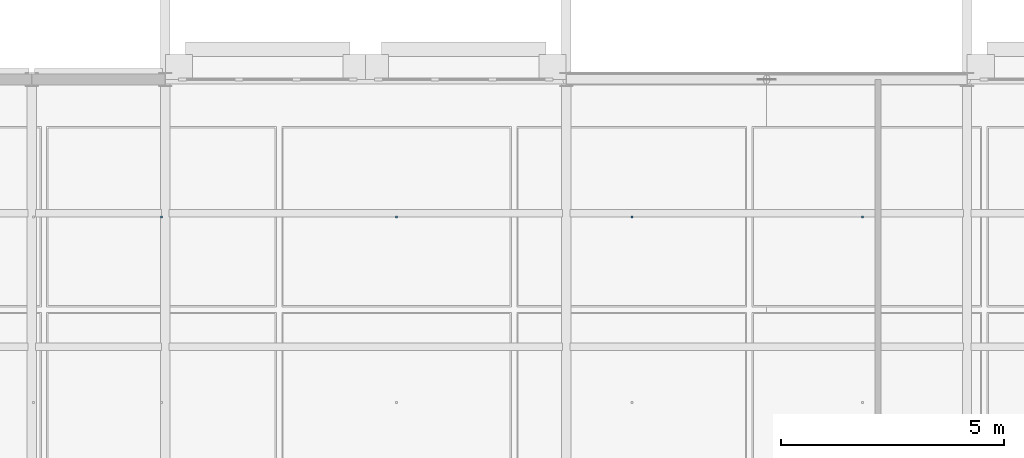
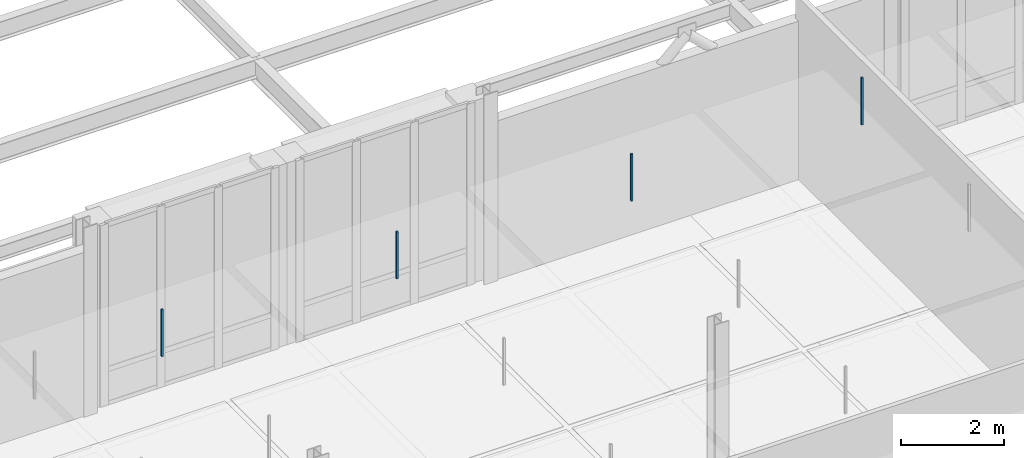
# One storey, part 117 of 140: 4 discrete accessories.
"""IFC4 building model written with IfcOpenShell, lengths in metres."""

from ifc_helpers import new_model, si_unit, direction, frame, origin, origin_2d, place, context, subcontext, project, spatial, rectangle, extrude, material, type_object, element, save


model = new_model("IFC4")

# Units and contexts
model_context = context("Model", 3, precision=1e-05, world=origin(), true_north=direction((0.0, 1.0)))
body_context = subcontext(model_context, "Body", "Model", "MODEL_VIEW")
ifc_project = project(units=[si_unit("LENGTHUNIT", "METRE"), si_unit("AREAUNIT", "SQUARE_METRE"), si_unit("VOLUMEUNIT", "CUBIC_METRE"), si_unit("PLANEANGLEUNIT", "RADIAN"), si_unit("MASSUNIT", "GRAM", prefix="KILO"), si_unit("THERMODYNAMICTEMPERATUREUNIT", "KELVIN"), si_unit("POWERUNIT", "WATT")], contexts=[model_context])

# Site, building, storey
site_placement = place(None, origin())
site = spatial("IfcSite", under=ifc_project, at=site_placement, CompositionType="ELEMENT")
building_placement = place(site_placement, origin())
building = spatial("IfcBuilding", under=site, at=building_placement, Name="Tallowbark Science Centre", CompositionType="ELEMENT")
storey_placement = place(building_placement, frame((0.0, 0.0, 9.89990234375)))
storey = spatial("IfcBuildingStorey", under=building, at=storey_placement, Name="L02", CompositionType="ELEMENT", Elevation=9.89990234375)

# Discrete accessories
ifc_material = material(Name="Galvanised Steel Grade C350L0 (350 MPa)", Category="steel")
discrete_accessory_type = type_object("IfcDiscreteAccessoryType", Name="ACC-CLG-HNG", PredefinedType="BRACKET", material=ifc_material)
for number, where, z_axis, x_axis, name in (
    (1, (71.916748046875, 95.916748046875, 3.205078125), (0.0, 0.0, 1.0), (1.0, 0.0, 0.0), "Ceiling Hanger Bracket L02-874"),
    (2, (77.1943359375, 95.916748046875, 3.205078125), (0.0, 0.0, 1.0), (1.0, 0.0, 0.0), "Ceiling Hanger Bracket L02-877"),
    (3, (82.47216796875, 95.916748046875, 3.205078125), (0.0, 0.0, 1.0), (1.0, 0.0, 0.0), "Ceiling Hanger Bracket L02-880"),
    (4, (87.650390625, 95.916748046875, 3.205078125), (0.0, 0.0, 1.0), (1.0, 0.0, 0.0), "Ceiling Hanger Bracket L02-886"),
):
    element("IfcDiscreteAccessory", number, at=place(storey_placement, frame(where, z_axis=z_axis, x_axis=x_axis)), inside=storey, type_object=discrete_accessory_type, Name=name, PredefinedType="BRACKET", context=body_context, shape_type="SweptSolid", body=[
        extrude(rectangle(XDim=0.044921875, YDim=0.044921875, at=origin_2d()), origin(), (0.0, 0.0, 1.0), 1.117919921875),
    ])

save(model, "model.ifc")
